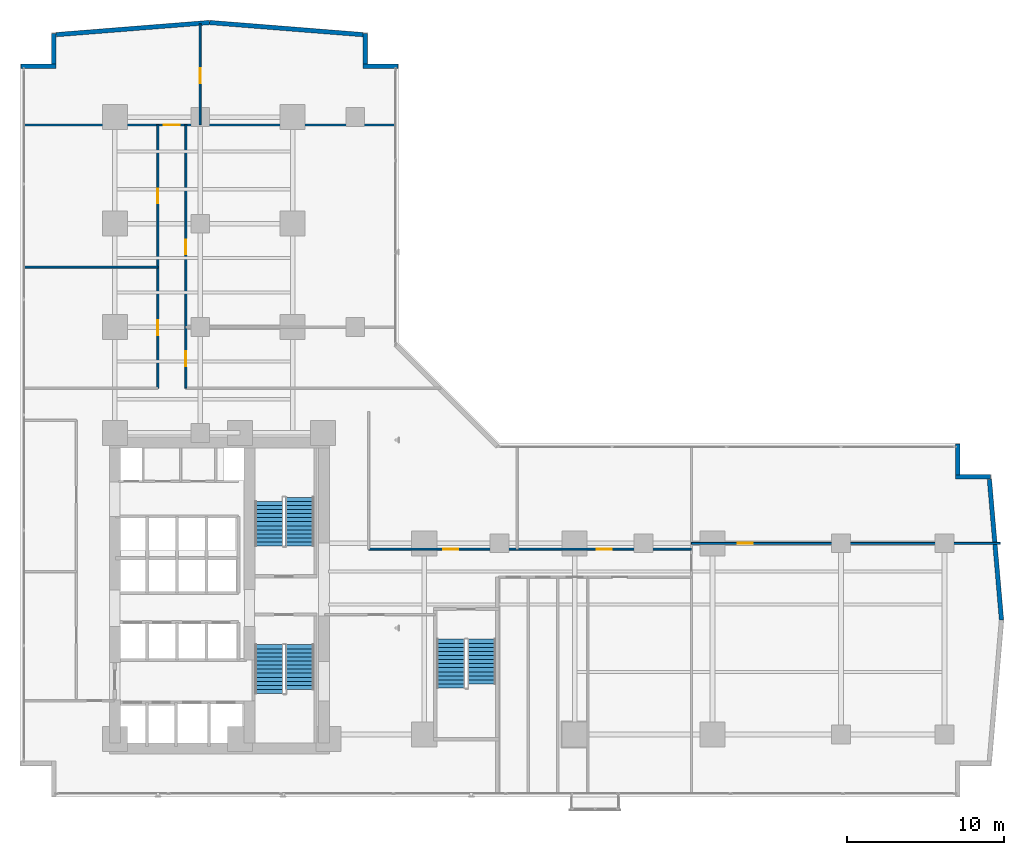
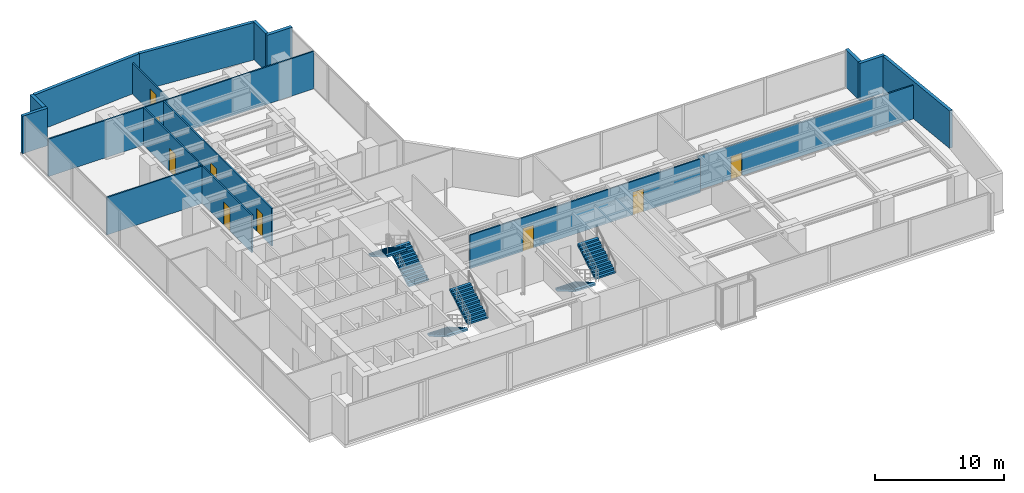
# One storey, part 24 of 28: 16 walls, 9 doors, 6 stair flights, 9 openings, 3 elements without a shape of their own.
"""IFC4 building model written with IfcOpenShell, lengths in metres."""

from ifc_helpers import new_model, si_unit, direction, frame, frame_2d, origin, place, context, subcontext, project, spatial, polyline, rectangle, outline, extrude, material, layer, layer_set, type_object, element, fill, aggregate, save


model = new_model("IFC4")

# Units and contexts
model_context = context("Model", 3, precision=1e-05, world=origin(), true_north=direction((0.0, 1.0)))
body_context = subcontext(model_context, "Body", "Model", "MODEL_VIEW")
ifc_project = project(units=[si_unit("LENGTHUNIT", "METRE"), si_unit("AREAUNIT", "SQUARE_METRE"), si_unit("VOLUMEUNIT", "CUBIC_METRE"), si_unit("PLANEANGLEUNIT", "RADIAN"), si_unit("MASSUNIT", "GRAM", prefix="KILO")], contexts=[model_context])

# Site, building, storey
site_placement = place(None, origin())
site = spatial("IfcSite", under=ifc_project, at=site_placement, CompositionType="ELEMENT")
building_placement = place(site_placement, origin())
building = spatial("IfcBuilding", under=site, at=building_placement, Name="Kolvaren Waterfront Exchange", CompositionType="ELEMENT")
storey_placement = place(building_placement, frame((0.0, 0.0, 41.0)))
storey = spatial("IfcBuildingStorey", under=building, at=storey_placement, Name="L10", CompositionType="ELEMENT", Elevation=41.0)

# Walls
ifc_material_1 = material(Name="Precast concrete C40/50", Category="concrete")
ifc_layer_1 = layer(ifc_material_1, 0.280029296875, Name="Precast concrete C40/50")
ifc_layer_set_1 = layer_set([ifc_layer_1], Name="Precast concrete C40/50")
wall_type_1 = type_object("IfcWallType", Name="ARC-EXT-TERR-280", PredefinedType="SOLIDWALL", material=ifc_layer_set_1)
wall_1_placement = place(storey_placement, frame((61.239990234375, 21.764892578125, 0.0), z_axis=(0.0, 0.0, 1.0), x_axis=(0.0, 1.0, 0.0)))
element("IfcWall", 1, at=wall_1_placement, inside=storey, type_object=wall_type_1, Name="L10 notched corner spandrel pier ENE-A", PredefinedType="SOLIDWALL", context=body_context, shape_type="SweptSolid", body=[
    extrude(rectangle(XDim=1.97509765625, YDim=0.280029296875, at=frame_2d((0.987548828125, 0.0))), origin(), (0.0, 0.0, 1.0), 3.5400390625),
])
for number, where, z_axis, x_axis, name in (
    (2, (61.10009765625, 21.639892578125, 0.0), (0.0, 0.0, 1.0), (1.0, 0.0, 0.0), "L10 notched corner spandrel pier ENE-B"),
    (3, (23.300048828125, 47.840087890625, 0.0), (0.0, 0.0, 1.0), (1.0, 0.0, 0.0), "L10 notched corner spandrel pier NNE-A"),
):
    element("IfcWall", number, at=place(storey_placement, frame(where, z_axis=z_axis, x_axis=x_axis)), inside=storey, type_object=wall_type_1, Name=name, PredefinedType="SOLIDWALL", context=body_context, shape_type="SweptSolid", body=[
        extrude(rectangle(XDim=2.239990234375, YDim=0.280029296875, at=frame_2d((1.1201171875, 0.0))), origin(), (0.0, 0.0, 1.0), 3.5400390625),
    ])
wall_2_placement = place(storey_placement, frame((23.43994140625, 47.97998046875, 0.0), z_axis=(0.0, 0.0, 1.0), x_axis=(0.0, 1.0, 0.0)))
element("IfcWall", 4, at=wall_2_placement, inside=storey, type_object=wall_type_1, Name="L10 notched corner spandrel pier NNE-B", PredefinedType="SOLIDWALL", context=body_context, shape_type="SweptSolid", body=[
    extrude(rectangle(XDim=1.9599609375, YDim=0.280029296875, at=frame_2d((0.97998046875, 0.0))), origin(), (0.0, 0.0, 1.0), 3.5400390625),
])
wall_3_placement = place(storey_placement, frame((1.4599609375, 47.840087890625, 0.0), z_axis=(0.0, 0.0, 1.0), x_axis=(1.0, 0.0, 0.0)))
element("IfcWall", 5, at=wall_3_placement, inside=storey, type_object=wall_type_1, Name="L10 notched corner spandrel pier NW-A", PredefinedType="SOLIDWALL", context=body_context, shape_type="SweptSolid", body=[
    extrude(rectangle(XDim=2.239990234375, YDim=0.280029296875, at=frame_2d((1.1201171875, 0.0))), origin(), (0.0, 0.0, 1.0), 3.5400390625),
])
wall_4_placement = place(storey_placement, frame((3.56005859375, 47.97998046875, 0.0), z_axis=(0.0, 0.0, 1.0), x_axis=(0.0, 1.0, 0.0)))
element("IfcWall", 6, at=wall_4_placement, inside=storey, type_object=wall_type_1, Name="L10 notched corner spandrel pier NW-B", PredefinedType="SOLIDWALL", context=body_context, shape_type="SweptSolid", body=[
    extrude(rectangle(XDim=1.9599609375, YDim=0.280029296875, at=frame_2d((0.97998046875, 0.0))), origin(), (0.0, 0.0, 1.0), 3.5400390625),
])
wall_5_placement = place(storey_placement, frame((64.038818359375, 12.506103515625, 0.0), z_axis=(0.0, 0.0, 1.0), x_axis=(-0.085692274626, 0.996321651912, 0.0)))
element("IfcWall", 7, at=wall_5_placement, inside=storey, type_object=wall_type_1, Name="L10 east prow faceted facade wall 2", PredefinedType="SOLIDWALL", context=body_context, shape_type="SweptSolid", body=[
    extrude(rectangle(XDim=9.014404296875, YDim=0.280029296875, at=frame_2d((4.50732421875, 0.0))), origin(), (0.0, 0.0, 1.0), 3.5400390625),
])
for number, where, z_axis, x_axis, name in (
    (8, (23.288330078125, 49.8642578125, 0.0), (0.0, 0.0, 1.0), (-0.996878337682, 0.078953023125, 0.0), "L10 north prow faceted facade wall 1"),
    (9, (13.49267578125, 50.638916015625, 0.0), (0.0, 0.0, 1.0), (-0.996878337682, -0.078953023125, 0.0), "L10 north prow faceted facade wall 2"),
):
    element("IfcWall", number, at=place(storey_placement, frame(where, z_axis=z_axis, x_axis=x_axis)), inside=storey, type_object=wall_type_1, Name=name, PredefinedType="SOLIDWALL", context=body_context, shape_type="SweptSolid", body=[
        extrude(rectangle(XDim=9.8115234375, YDim=0.280029296875, at=frame_2d((4.90576171875, 0.0))), origin(), (0.0, 0.0, 1.0), 3.5400390625),
    ])

# Wall, opening, door
ifc_material_2 = material(Name="Acoustic gypsum steel stud", Category="steel")
ifc_layer_2 = layer(ifc_material_2, 0.125, Name="Acoustic gypsum steel stud")
ifc_layer_set_2 = layer_set([ifc_layer_2], Name="Acoustic gypsum steel stud")
wall_type_2 = type_object("IfcWallType", Name="ARC-PART-125", PredefinedType="PARTITIONING", material=ifc_layer_set_2)
wall_6_placement = place(storey_placement, frame((44.25, 17.39990234375, 0.0), z_axis=(0.0, 0.0, 1.0), x_axis=(1.0, 0.0, 0.0)))
wall_6 = element("IfcWall", 10, at=wall_6_placement, inside=storey, type_object=wall_type_2, Name="L10 interior wall PW-L10-ETIP-MID", PredefinedType="PARTITIONING", context=body_context, shape_type="SweptSolid", body=[
    extrude(rectangle(XDim=19.7099609375, YDim=0.125, at=frame_2d((9.85498046875, 0.0))), origin(), (0.0, 0.0, 1.0), 3.179931640625),
])
opening_1_placement = place(wall_6_placement, frame((2.949951171875, 0.0, 0.0)))
opening_1 = element("IfcOpeningElement", 11, at=opening_1_placement, cuts=wall_6, Name="Opening D02", PredefinedType="OPENING", context=body_context, shape_type="SweptSolid", body=[
    extrude(rectangle(XDim=0.949951171875, YDim=2.14990234375, at=frame_2d((0.47509765625, 1.074951171875))), frame((0.0, 0.072509765625, 0.0), z_axis=(0.0, -1.0, 0.0), x_axis=(1.0, 0.0, 0.0)), (0.0, 0.0, 1.0), 0.14501953125),
])
ifc_material_3 = material(Name="Oak veneer acoustic timber", Category="wood")
door_type_1 = type_object("IfcDoorType", Name="ARC-DR-950", OperationType="NOTDEFINED", PredefinedType="DOOR", material=ifc_material_3)
door_1_placement = place(opening_1_placement, origin())
door_1 = element("IfcDoor", 12, at=door_1_placement, inside=storey, type_object=door_type_1, Name="L10 door DR-L10-ETIP2-D (D02)", OperationType="SINGLE_SWING_LEFT", OverallHeight=2.14990234375, OverallWidth=0.949951171875, PredefinedType="DOOR", context=body_context, shape_type="SweptSolid", body=[
    extrude(rectangle(XDim=0.949951171875, YDim=2.14990234375, at=frame_2d((0.47509765625, 1.074951171875))), frame((0.0, 0.02490234375, 0.0), z_axis=(0.0, -1.0, 0.0), x_axis=(1.0, 0.0, 0.0)), (0.0, 0.0, 1.0), 0.050048828125),
])
fill(opening_1, door_1)

# Wall, openings, doors
wall_7_placement = place(storey_placement, frame((23.64990234375, 17.030029296875, 0.0), z_axis=(0.0, 0.0, 1.0), x_axis=(1.0, 0.0, 0.0)))
wall_7 = element("IfcWall", 13, at=wall_7_placement, inside=storey, type_object=wall_type_2, Name="L10 interior wall PW-L10-EN-CORR", PredefinedType="PARTITIONING", context=body_context, shape_type="SweptSolid", body=[
    extrude(rectangle(XDim=20.60009765625, YDim=0.125, at=frame_2d((10.300048828125, 0.0))), origin(), (0.0, 0.0, 1.0), 3.179931640625),
])
opening_2_placement = place(wall_7_placement, frame((4.7568359375, 0.0, 0.0)))
opening_2 = element("IfcOpeningElement", 14, at=opening_2_placement, cuts=wall_7, Name="Opening D02", PredefinedType="OPENING", context=body_context, shape_type="SweptSolid", body=[
    extrude(rectangle(XDim=0.949951171875, YDim=2.14990234375, at=frame_2d((0.47509765625, 1.074951171875))), frame((0.0, 0.072509765625, 0.0), z_axis=(0.0, -1.0, 0.0), x_axis=(1.0, 0.0, 0.0)), (0.0, 0.0, 1.0), 0.14501953125),
])
opening_3_placement = place(wall_7_placement, frame((14.56494140625, 0.0, 0.0)))
opening_3 = element("IfcOpeningElement", 15, at=opening_3_placement, cuts=wall_7, Name="Opening D02", PredefinedType="OPENING", context=body_context, shape_type="SweptSolid", body=[
    extrude(rectangle(XDim=0.949951171875, YDim=2.14990234375, at=frame_2d((0.47509765625, 1.074951171875))), frame((0.0, 0.072509765625, 0.0), z_axis=(0.0, -1.0, 0.0), x_axis=(1.0, 0.0, 0.0)), (0.0, 0.0, 1.0), 0.14501953125),
])
door_2_placement = place(opening_2_placement, origin())
door_2 = element("IfcDoor", 16, at=door_2_placement, inside=storey, type_object=door_type_1, Name="L10 door DR-L10-EN-D-1 (D02)", OperationType="SINGLE_SWING_RIGHT", OverallHeight=2.14990234375, OverallWidth=0.949951171875, PredefinedType="DOOR", context=body_context, shape_type="SweptSolid", body=[
    extrude(rectangle(XDim=0.949951171875, YDim=2.14990234375, at=frame_2d((0.47509765625, 1.074951171875))), frame((0.0, 0.02490234375, 0.0), z_axis=(0.0, -1.0, 0.0), x_axis=(1.0, 0.0, 0.0)), (0.0, 0.0, 1.0), 0.050048828125),
])
fill(opening_2, door_2)
door_3_placement = place(opening_3_placement, origin())
door_3 = element("IfcDoor", 17, at=door_3_placement, inside=storey, type_object=door_type_1, Name="L10 door DR-L10-EN-D-2 (D02)", OperationType="SINGLE_SWING_LEFT", OverallHeight=2.14990234375, OverallWidth=0.949951171875, PredefinedType="DOOR", context=body_context, shape_type="SweptSolid", body=[
    extrude(rectangle(XDim=0.949951171875, YDim=2.14990234375, at=frame_2d((0.47509765625, 1.074951171875))), frame((0.0, 0.02490234375, 0.0), z_axis=(0.0, -1.0, 0.0), x_axis=(1.0, 0.0, 0.0)), (0.0, 0.0, 1.0), 0.050048828125),
])
fill(opening_3, door_3)

wall_8_placement = place(storey_placement, frame((10.199951171875, 27.300048828125, 0.0), z_axis=(0.0, 0.0, 1.0), x_axis=(0.0, 1.0, 0.0)))
wall_8 = element("IfcWall", 18, at=wall_8_placement, inside=storey, type_object=wall_type_2, Name="L10 interior wall PW-L10-NW-CORR", PredefinedType="PARTITIONING", context=body_context, shape_type="SweptSolid", body=[
    extrude(rectangle(XDim=16.800048828125, YDim=0.125, at=frame_2d((8.39990234375, 0.0))), origin(), (0.0, 0.0, 1.0), 3.5400390625),
])
opening_4_placement = place(wall_8_placement, frame((3.389892578125, 0.0, 0.0)))
opening_4 = element("IfcOpeningElement", 19, at=opening_4_placement, cuts=wall_8, Name="Opening D02", PredefinedType="OPENING", context=body_context, shape_type="SweptSolid", body=[
    extrude(rectangle(XDim=0.949951171875, YDim=2.14990234375, at=frame_2d((0.47509765625, 1.074951171875))), frame((0.0, 0.072509765625, 0.0), z_axis=(0.0, -1.0, 0.0), x_axis=(1.0, 0.0, 0.0)), (0.0, 0.0, 1.0), 0.14501953125),
])
opening_5_placement = place(wall_8_placement, frame((11.7900390625, 0.0, 0.0)))
opening_5 = element("IfcOpeningElement", 20, at=opening_5_placement, cuts=wall_8, Name="Opening D02", PredefinedType="OPENING", context=body_context, shape_type="SweptSolid", body=[
    extrude(rectangle(XDim=0.949951171875, YDim=2.14990234375, at=frame_2d((0.47509765625, 1.074951171875))), frame((0.0, 0.072509765625, 0.0), z_axis=(0.0, -1.0, 0.0), x_axis=(1.0, 0.0, 0.0)), (0.0, 0.0, 1.0), 0.14501953125),
])
door_4_placement = place(opening_4_placement, origin())
door_4 = element("IfcDoor", 21, at=door_4_placement, inside=storey, type_object=door_type_1, Name="L10 door DR-L10-NW-D-1 (D02)", OperationType="SINGLE_SWING_RIGHT", OverallHeight=2.14990234375, OverallWidth=0.949951171875, PredefinedType="DOOR", context=body_context, shape_type="SweptSolid", body=[
    extrude(rectangle(XDim=0.949951171875, YDim=2.14990234375, at=frame_2d((0.47509765625, 1.074951171875))), frame((0.0, 0.02490234375, 0.0), z_axis=(0.0, -1.0, 0.0), x_axis=(1.0, 0.0, 0.0)), (0.0, 0.0, 1.0), 0.050048828125),
])
fill(opening_4, door_4)
door_5_placement = place(opening_5_placement, origin())
door_5 = element("IfcDoor", 22, at=door_5_placement, inside=storey, type_object=door_type_1, Name="L10 door DR-L10-NW-D-2 (D02)", OperationType="SINGLE_SWING_LEFT", OverallHeight=2.14990234375, OverallWidth=0.949951171875, PredefinedType="DOOR", context=body_context, shape_type="SweptSolid", body=[
    extrude(rectangle(XDim=0.949951171875, YDim=2.14990234375, at=frame_2d((0.47509765625, 1.074951171875))), frame((0.0, 0.02490234375, 0.0), z_axis=(0.0, -1.0, 0.0), x_axis=(1.0, 0.0, 0.0)), (0.0, 0.0, 1.0), 0.050048828125),
])
fill(opening_5, door_5)

# Wall
wall_9_placement = place(storey_placement, frame((1.639892578125, 35.030029296875, 0.0), z_axis=(0.0, 0.0, 1.0), x_axis=(1.0, 0.0, 0.0)))
element("IfcWall", 23, at=wall_9_placement, inside=storey, type_object=wall_type_2, Name="L10 interior wall PW-L10-NW-DIV-1", PredefinedType="PARTITIONING", context=body_context, shape_type="SweptSolid", body=[
    extrude(rectangle(XDim=8.56005859375, YDim=0.125, at=frame_2d((4.280029296875, 0.0))), origin(), (0.0, 0.0, 1.0), 3.5400390625),
])

# Wall, opening, door
wall_10_placement = place(storey_placement, frame((1.639892578125, 44.10009765625, 0.0), z_axis=(0.0, 0.0, 1.0), x_axis=(1.0, 0.0, 0.0)))
wall_10 = element("IfcWall", 24, at=wall_10_placement, inside=storey, type_object=wall_type_2, Name="L10 interior wall PW-L10-NTIP-S", PredefinedType="PARTITIONING", context=body_context, shape_type="SweptSolid", body=[
    extrude(rectangle(XDim=23.72021484375, YDim=0.125, at=frame_2d((11.860107421875, 0.0))), origin(), (0.0, 0.0, 1.0), 3.5400390625),
])
opening_6_placement = place(wall_10_placement, frame((8.949951171875, 0.0, 0.0)))
opening_6 = element("IfcOpeningElement", 25, at=opening_6_placement, cuts=wall_10, Name="Opening D03", PredefinedType="OPENING", context=body_context, shape_type="SweptSolid", body=[
    extrude(rectangle(XDim=1.0, YDim=2.199951171875, at=frame_2d((0.5, 1.10009765625))), frame((0.0, 0.072509765625, 0.0), z_axis=(0.0, -1.0, 0.0), x_axis=(1.0, 0.0, 0.0)), (0.0, 0.0, 1.0), 0.14501953125),
])
ifc_material_4 = material(Name="Oak veneer accessible timber", Category="wood")
door_type_2 = type_object("IfcDoorType", Name="ARC-DR-1000", OperationType="NOTDEFINED", PredefinedType="DOOR", material=ifc_material_4)
door_6_placement = place(opening_6_placement, origin())
door_6 = element("IfcDoor", 26, at=door_6_placement, inside=storey, type_object=door_type_2, Name="L10 door DR-L10-NTIPW-D (D03)", OperationType="SINGLE_SWING_RIGHT", OverallHeight=2.199951171875, OverallWidth=1.0, PredefinedType="DOOR", context=body_context, shape_type="SweptSolid", body=[
    extrude(rectangle(XDim=1.0, YDim=2.199951171875, at=frame_2d((0.5, 1.10009765625))), frame((0.0, 0.02490234375, 0.0), z_axis=(0.0, -1.0, 0.0), x_axis=(1.0, 0.0, 0.0)), (0.0, 0.0, 1.0), 0.050048828125),
])
fill(opening_6, door_6)

wall_11_placement = place(storey_placement, frame((12.89990234375, 44.10009765625, 0.0), z_axis=(0.0, 0.0, 1.0), x_axis=(0.0, 1.0, 0.0)))
wall_11 = element("IfcWall", 27, at=wall_11_placement, inside=storey, type_object=wall_type_2, Name="L10 interior wall PW-L10-NTIP-DIV", PredefinedType="PARTITIONING", context=body_context, shape_type="SweptSolid", body=[
    extrude(rectangle(XDim=6.4599609375, YDim=0.125, at=frame_2d((3.22998046875, 0.0))), origin(), (0.0, 0.0, 1.0), 2.93994140625),
])
opening_7_placement = place(wall_11_placement, frame((2.677490234375, 0.0, 0.0)))
opening_7 = element("IfcOpeningElement", 28, at=opening_7_placement, cuts=wall_11, Name="Opening D02", PredefinedType="OPENING", context=body_context, shape_type="SweptSolid", body=[
    extrude(rectangle(XDim=0.949951171875, YDim=2.14990234375, at=frame_2d((0.47509765625, 1.074951171875))), frame((0.0, 0.072509765625, 0.0), z_axis=(0.0, -1.0, 0.0), x_axis=(1.0, 0.0, 0.0)), (0.0, 0.0, 1.0), 0.14501953125),
])
door_7_placement = place(opening_7_placement, origin())
door_7 = element("IfcDoor", 29, at=door_7_placement, inside=storey, type_object=door_type_1, Name="L10 door DR-L10-NTIPE-D (D02)", OperationType="SINGLE_SWING_LEFT", OverallHeight=2.14990234375, OverallWidth=0.949951171875, PredefinedType="DOOR", context=body_context, shape_type="SweptSolid", body=[
    extrude(rectangle(XDim=0.949951171875, YDim=2.14990234375, at=frame_2d((0.47509765625, 1.074951171875))), frame((0.0, 0.02490234375, 0.0), z_axis=(0.0, -1.0, 0.0), x_axis=(1.0, 0.0, 0.0)), (0.0, 0.0, 1.0), 0.050048828125),
])
fill(opening_7, door_7)

# Wall, openings, doors
wall_12_placement = place(storey_placement, frame((11.97998046875, 27.300048828125, 0.0), z_axis=(0.0, 0.0, 1.0), x_axis=(0.0, 1.0, 0.0)))
wall_12 = element("IfcWall", 30, at=wall_12_placement, inside=storey, type_object=wall_type_2, Name="L10 interior wall PW-L10-NE-CORR", PredefinedType="PARTITIONING", context=body_context, shape_type="SweptSolid", body=[
    extrude(rectangle(XDim=16.800048828125, YDim=0.125, at=frame_2d((8.39990234375, 0.0))), origin(), (0.0, 0.0, 1.0), 3.5400390625),
])
opening_8_placement = place(wall_12_placement, frame((1.4033203125, 0.0, 0.0)))
opening_8 = element("IfcOpeningElement", 31, at=opening_8_placement, cuts=wall_12, Name="Opening D02", PredefinedType="OPENING", context=body_context, shape_type="SweptSolid", body=[
    extrude(rectangle(XDim=0.949951171875, YDim=2.14990234375, at=frame_2d((0.47509765625, 1.074951171875))), frame((0.0, 0.072509765625, 0.0), z_axis=(0.0, -1.0, 0.0), x_axis=(1.0, 0.0, 0.0)), (0.0, 0.0, 1.0), 0.14501953125),
])
opening_9_placement = place(wall_12_placement, frame((8.5341796875, 0.0, 0.0)))
opening_9 = element("IfcOpeningElement", 32, at=opening_9_placement, cuts=wall_12, Name="Opening D02", PredefinedType="OPENING", context=body_context, shape_type="SweptSolid", body=[
    extrude(rectangle(XDim=0.949951171875, YDim=2.14990234375, at=frame_2d((0.47509765625, 1.074951171875))), frame((0.0, 0.072509765625, 0.0), z_axis=(0.0, -1.0, 0.0), x_axis=(1.0, 0.0, 0.0)), (0.0, 0.0, 1.0), 0.14501953125),
])
door_8_placement = place(opening_8_placement, origin())
door_8 = element("IfcDoor", 33, at=door_8_placement, inside=storey, type_object=door_type_1, Name="L10 door DR-L10-NE-D-1 (D02)", OperationType="SINGLE_SWING_RIGHT", OverallHeight=2.14990234375, OverallWidth=0.949951171875, PredefinedType="DOOR", context=body_context, shape_type="SweptSolid", body=[
    extrude(rectangle(XDim=0.949951171875, YDim=2.14990234375, at=frame_2d((0.47509765625, 1.074951171875))), frame((0.0, 0.02490234375, 0.0), z_axis=(0.0, -1.0, 0.0), x_axis=(1.0, 0.0, 0.0)), (0.0, 0.0, 1.0), 0.050048828125),
])
fill(opening_8, door_8)
door_9_placement = place(opening_9_placement, origin())
door_9 = element("IfcDoor", 34, at=door_9_placement, inside=storey, type_object=door_type_1, Name="L10 door DR-L10-NE-D-2 (D02)", OperationType="SINGLE_SWING_LEFT", OverallHeight=2.14990234375, OverallWidth=0.949951171875, PredefinedType="DOOR", context=body_context, shape_type="SweptSolid", body=[
    extrude(rectangle(XDim=0.949951171875, YDim=2.14990234375, at=frame_2d((0.47509765625, 1.074951171875))), frame((0.0, 0.02490234375, 0.0), z_axis=(0.0, -1.0, 0.0), x_axis=(1.0, 0.0, 0.0)), (0.0, 0.0, 1.0), 0.050048828125),
])
fill(opening_9, door_9)

# Stair, stair flights
ifc_material_5 = material(Name="Concrete C40/50", Category="concrete")
stair_type = type_object("IfcStairType", Name="ARC-STAIR-3800", PredefinedType="HALF_TURN_STAIR", material=ifc_material_5)
stair_1_placement = place(storey_placement, origin())
stair_1 = element("IfcStair", 35, at=stair_1_placement, inside=storey, type_object=stair_type, Name="L10 Smoke-proof exit stair ST1", PredefinedType="HALF_TURN_STAIR")
stair_flight_type = type_object("IfcStairFlightType", Name="ARC-FLIGHT-3800", PredefinedType="STRAIGHT", material=ifc_material_5)
stair_flight_1_placement = place(storey_placement, frame((17.300048828125, 10.929931640625, 0.0), z_axis=(0.0, 0.0, 1.0), x_axis=(0.0, -1.0, 0.0)))
stair_flight_1 = element("IfcStairFlight", 36, at=stair_flight_1_placement, type_object=stair_flight_type, Name="ST1 flight 1", NumberOfRisers=13, NumberOfTreads=12, PredefinedType="STRAIGHT", RiserHeight=0.152, TreadLength=0.26, context=body_context, shape_type="SweptSolid", body=[
    extrude(outline(polyline([(0.0, 0.0), (0.0, 0.152099609375), (0.260009765625, 0.152099609375), (0.260009765625, 0.303955078125), (0.52001953125, 0.303955078125), (0.52001953125, 0.4560546875), (0.780029296875, 0.4560546875), (0.780029296875, 0.60791015625), (1.0400390625, 0.60791015625), (1.0400390625, 0.760009765625), (1.300048828125, 0.760009765625), (1.300048828125, 0.912109375), (1.56005859375, 0.912109375), (1.56005859375, 1.06396484375), (1.820068359375, 1.06396484375), (1.820068359375, 1.216064453125), (2.080078125, 1.216064453125), (2.080078125, 1.367919921875), (2.340087890625, 1.367919921875), (2.340087890625, 1.52001953125), (2.60009765625, 1.52001953125), (2.60009765625, 1.672119140625), (2.860107421875, 1.672119140625), (2.860107421875, 1.823974609375), (3.1201171875, 1.823974609375), (3.1201171875, 1.97607421875), (3.1201171875, 1.650390625), (0.297119140625, 0.0), (0.0, 0.0)])), frame((0.0, 0.89990234375, 0.0), z_axis=(0.0, -1.0, 0.0), x_axis=(1.0, 0.0, 0.0)), (0.0, 0.0, 1.0), 1.800048828125),
])
stair_flight_2_placement = place(storey_placement, frame((19.260009765625, 8.070068359375, 1.97607421875), z_axis=(0.0, 0.0, 1.0), x_axis=(0.0, 1.0, 0.0)))
stair_flight_2 = element("IfcStairFlight", 37, at=stair_flight_2_placement, type_object=stair_flight_type, Name="ST1 flight 2", NumberOfRisers=12, NumberOfTreads=11, PredefinedType="STRAIGHT", RiserHeight=0.152, TreadLength=0.26, context=body_context, shape_type="SweptSolid", body=[
    extrude(outline(polyline([(0.0, 0.0), (0.0, 0.152099609375), (0.260009765625, 0.152099609375), (0.260009765625, 0.303955078125), (0.52001953125, 0.303955078125), (0.52001953125, 0.4560546875), (0.780029296875, 0.4560546875), (0.780029296875, 0.60791015625), (1.0400390625, 0.60791015625), (1.0400390625, 0.760009765625), (1.300048828125, 0.760009765625), (1.300048828125, 0.912109375), (1.56005859375, 0.912109375), (1.56005859375, 1.06396484375), (1.820068359375, 1.06396484375), (1.820068359375, 1.216064453125), (2.080078125, 1.216064453125), (2.080078125, 1.367919921875), (2.340087890625, 1.367919921875), (2.340087890625, 1.52001953125), (2.60009765625, 1.52001953125), (2.60009765625, 1.672119140625), (2.860107421875, 1.672119140625), (2.860107421875, 1.823974609375), (2.860107421875, 1.498291015625), (0.297119140625, 0.0), (0.0, 0.0)])), frame((0.0, 0.89990234375, 0.0), z_axis=(0.0, -1.0, 0.0), x_axis=(1.0, 0.0, 0.0)), (0.0, 0.0, 1.0), 1.800048828125),
])
aggregate(stair_1, [stair_flight_1, stair_flight_2])

stair_2_placement = place(storey_placement, origin())
stair_2 = element("IfcStair", 38, at=stair_2_placement, inside=storey, type_object=stair_type, Name="L10 Smoke-proof exit stair ST2", PredefinedType="HALF_TURN_STAIR")
stair_flight_3_placement = place(storey_placement, frame((19.260009765625, 17.219970703125, 0.0), z_axis=(0.0, 0.0, 1.0), x_axis=(0.0, 1.0, 0.0)))
stair_flight_3 = element("IfcStairFlight", 39, at=stair_flight_3_placement, type_object=stair_flight_type, Name="ST2 flight 1", NumberOfRisers=13, NumberOfTreads=12, PredefinedType="STRAIGHT", RiserHeight=0.152, TreadLength=0.26, context=body_context, shape_type="SweptSolid", body=[
    extrude(outline(polyline([(0.0, 0.0), (0.0, 0.152099609375), (0.260009765625, 0.152099609375), (0.260009765625, 0.303955078125), (0.52001953125, 0.303955078125), (0.52001953125, 0.4560546875), (0.780029296875, 0.4560546875), (0.780029296875, 0.60791015625), (1.0400390625, 0.60791015625), (1.0400390625, 0.760009765625), (1.300048828125, 0.760009765625), (1.300048828125, 0.912109375), (1.56005859375, 0.912109375), (1.56005859375, 1.06396484375), (1.820068359375, 1.06396484375), (1.820068359375, 1.216064453125), (2.080078125, 1.216064453125), (2.080078125, 1.367919921875), (2.340087890625, 1.367919921875), (2.340087890625, 1.52001953125), (2.60009765625, 1.52001953125), (2.60009765625, 1.672119140625), (2.860107421875, 1.672119140625), (2.860107421875, 1.823974609375), (3.1201171875, 1.823974609375), (3.1201171875, 1.97607421875), (3.1201171875, 1.650390625), (0.297119140625, 0.0), (0.0, 0.0)])), frame((0.0, 0.89990234375, 0.0), z_axis=(0.0, -1.0, 0.0), x_axis=(1.0, 0.0, 0.0)), (0.0, 0.0, 1.0), 1.800048828125),
])
stair_flight_4_placement = place(storey_placement, frame((17.300048828125, 20.080078125, 1.97607421875), z_axis=(0.0, 0.0, 1.0), x_axis=(0.0, -1.0, 0.0)))
stair_flight_4 = element("IfcStairFlight", 40, at=stair_flight_4_placement, type_object=stair_flight_type, Name="ST2 flight 2", NumberOfRisers=12, NumberOfTreads=11, PredefinedType="STRAIGHT", RiserHeight=0.152, TreadLength=0.26, context=body_context, shape_type="SweptSolid", body=[
    extrude(outline(polyline([(0.0, 0.0), (0.0, 0.152099609375), (0.260009765625, 0.152099609375), (0.260009765625, 0.303955078125), (0.52001953125, 0.303955078125), (0.52001953125, 0.4560546875), (0.780029296875, 0.4560546875), (0.780029296875, 0.60791015625), (1.0400390625, 0.60791015625), (1.0400390625, 0.760009765625), (1.300048828125, 0.760009765625), (1.300048828125, 0.912109375), (1.56005859375, 0.912109375), (1.56005859375, 1.06396484375), (1.820068359375, 1.06396484375), (1.820068359375, 1.216064453125), (2.080078125, 1.216064453125), (2.080078125, 1.367919921875), (2.340087890625, 1.367919921875), (2.340087890625, 1.52001953125), (2.60009765625, 1.52001953125), (2.60009765625, 1.672119140625), (2.860107421875, 1.672119140625), (2.860107421875, 1.823974609375), (2.860107421875, 1.498291015625), (0.297119140625, 0.0), (0.0, 0.0)])), frame((0.0, 0.89990234375, 0.0), z_axis=(0.0, -1.0, 0.0), x_axis=(1.0, 0.0, 0.0)), (0.0, 0.0, 1.0), 1.800048828125),
])
aggregate(stair_2, [stair_flight_3, stair_flight_4])

stair_3_placement = place(storey_placement, origin())
stair_3 = element("IfcStair", 41, at=stair_3_placement, inside=storey, type_object=stair_type, Name="L10 Exit stair ST3", PredefinedType="HALF_TURN_STAIR")
stair_flight_5_placement = place(storey_placement, frame((28.89990234375, 11.280029296875, 0.0), z_axis=(0.0, 0.0, 1.0), x_axis=(0.0, -1.0, 0.0)))
stair_flight_5 = element("IfcStairFlight", 42, at=stair_flight_5_placement, type_object=stair_flight_type, Name="ST3 flight 1", NumberOfRisers=13, NumberOfTreads=12, PredefinedType="STRAIGHT", RiserHeight=0.152, TreadLength=0.26, context=body_context, shape_type="SweptSolid", body=[
    extrude(outline(polyline([(0.0, 0.0), (0.0, 0.152099609375), (0.260009765625, 0.152099609375), (0.260009765625, 0.303955078125), (0.52001953125, 0.303955078125), (0.52001953125, 0.4560546875), (0.780029296875, 0.4560546875), (0.780029296875, 0.60791015625), (1.0400390625, 0.60791015625), (1.0400390625, 0.760009765625), (1.300048828125, 0.760009765625), (1.300048828125, 0.912109375), (1.56005859375, 0.912109375), (1.56005859375, 1.06396484375), (1.820068359375, 1.06396484375), (1.820068359375, 1.216064453125), (2.080078125, 1.216064453125), (2.080078125, 1.367919921875), (2.340087890625, 1.367919921875), (2.340087890625, 1.52001953125), (2.60009765625, 1.52001953125), (2.60009765625, 1.672119140625), (2.860107421875, 1.672119140625), (2.860107421875, 1.823974609375), (3.1201171875, 1.823974609375), (3.1201171875, 1.97607421875), (3.1201171875, 1.650390625), (0.297119140625, 0.0), (0.0, 0.0)])), frame((0.0, 0.89990234375, 0.0), z_axis=(0.0, -1.0, 0.0), x_axis=(1.0, 0.0, 0.0)), (0.0, 0.0, 1.0), 1.800048828125),
])
stair_flight_6_placement = place(storey_placement, frame((30.860107421875, 8.419921875, 1.97607421875), z_axis=(0.0, 0.0, 1.0), x_axis=(0.0, 1.0, 0.0)))
stair_flight_6 = element("IfcStairFlight", 43, at=stair_flight_6_placement, type_object=stair_flight_type, Name="ST3 flight 2", NumberOfRisers=12, NumberOfTreads=11, PredefinedType="STRAIGHT", RiserHeight=0.152, TreadLength=0.26, context=body_context, shape_type="SweptSolid", body=[
    extrude(outline(polyline([(0.0, 0.0), (0.0, 0.152099609375), (0.260009765625, 0.152099609375), (0.260009765625, 0.303955078125), (0.52001953125, 0.303955078125), (0.52001953125, 0.4560546875), (0.780029296875, 0.4560546875), (0.780029296875, 0.60791015625), (1.0400390625, 0.60791015625), (1.0400390625, 0.760009765625), (1.300048828125, 0.760009765625), (1.300048828125, 0.912109375), (1.56005859375, 0.912109375), (1.56005859375, 1.06396484375), (1.820068359375, 1.06396484375), (1.820068359375, 1.216064453125), (2.080078125, 1.216064453125), (2.080078125, 1.367919921875), (2.340087890625, 1.367919921875), (2.340087890625, 1.52001953125), (2.60009765625, 1.52001953125), (2.60009765625, 1.672119140625), (2.860107421875, 1.672119140625), (2.860107421875, 1.823974609375), (2.860107421875, 1.498291015625), (0.297119140625, 0.0), (0.0, 0.0)])), frame((0.0, 0.89990234375, 0.0), z_axis=(0.0, -1.0, 0.0), x_axis=(1.0, 0.0, 0.0)), (0.0, 0.0, 1.0), 1.800048828125),
])
aggregate(stair_3, [stair_flight_5, stair_flight_6])

save(model, "model.ifc")
